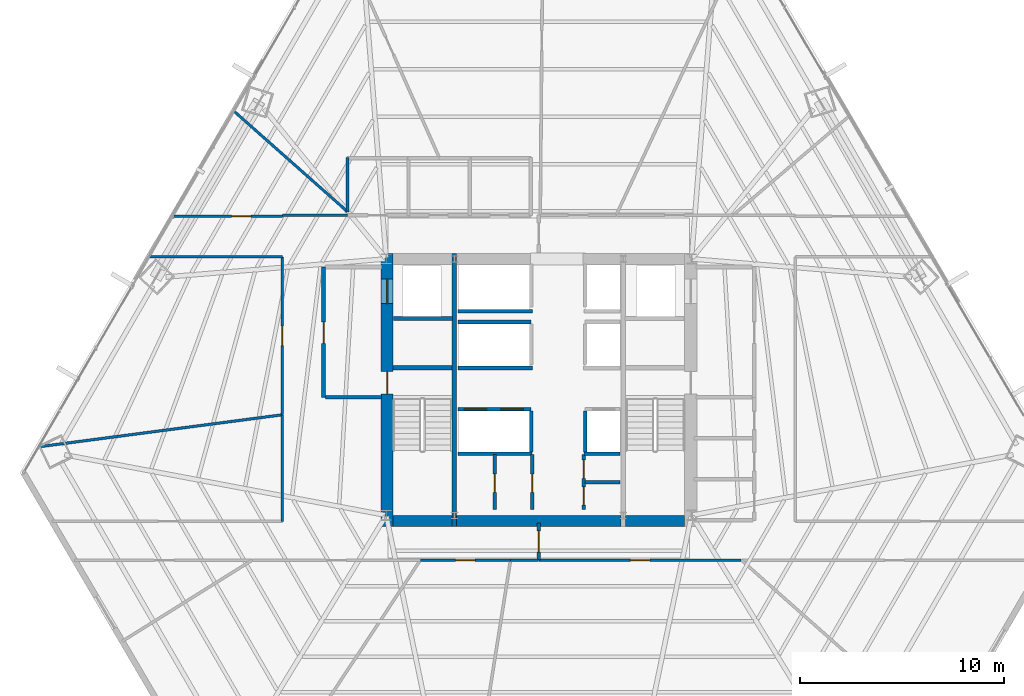
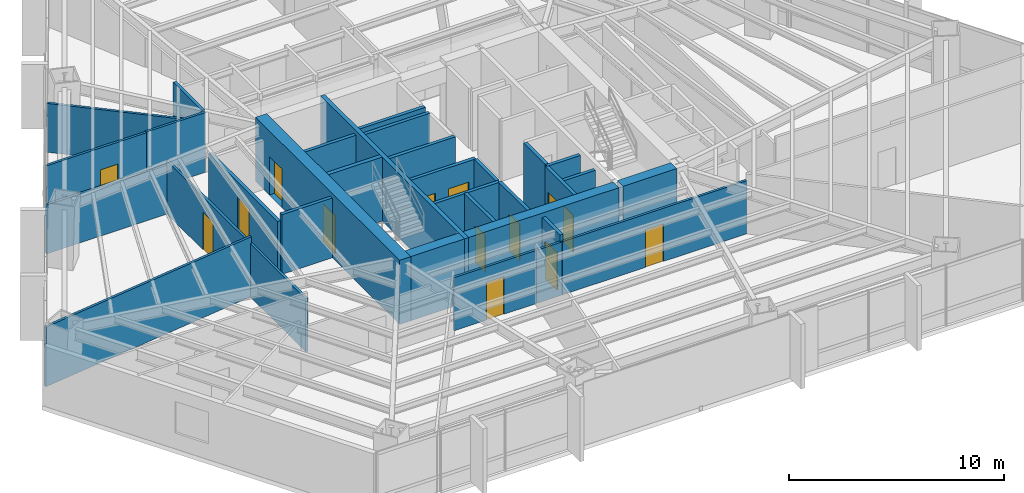
# One storey, part 32 of 37: 33 walls, 14 doors, 14 openings.
"""IFC4 building model written with IfcOpenShell, lengths in metres."""

from ifc_helpers import new_model, si_unit, direction, frame, frame_2d, origin, place, context, subcontext, project, spatial, rectangle, extrude, material, layer, layer_set, type_object, element, fill, save


model = new_model("IFC4")

# Units and contexts
model_context = context("Model", 3, precision=1e-05, world=origin(), true_north=direction((0.0, 1.0)))
body_context = subcontext(model_context, "Body", "Model", "MODEL_VIEW")
ifc_project = project(units=[si_unit("LENGTHUNIT", "METRE"), si_unit("AREAUNIT", "SQUARE_METRE"), si_unit("VOLUMEUNIT", "CUBIC_METRE"), si_unit("PLANEANGLEUNIT", "RADIAN"), si_unit("MASSUNIT", "GRAM", prefix="KILO")], contexts=[model_context])

# Site, building, storey
site_placement = place(None, origin())
site = spatial("IfcSite", under=ifc_project, at=site_placement, CompositionType="ELEMENT")
building_placement = place(site_placement, origin())
building = spatial("IfcBuilding", under=site, at=building_placement, Name="Caelisora Broadcast Tower", CompositionType="ELEMENT")
storey_placement = place(building_placement, frame((0.0, 0.0, 45.85009765625)))
storey = spatial("IfcBuildingStorey", under=building, at=storey_placement, Name="L11", CompositionType="ELEMENT", Elevation=45.85009765625)

# Wall, openings, doors
ifc_material_1 = material(Name="Concrete 65 MPa (AS 3600 S65)", Category="concrete")
ifc_layer_1 = layer(ifc_material_1, 0.60009765625, Name="Concrete 65 MPa (AS 3600 S65)")
ifc_layer_set_1 = layer_set([ifc_layer_1], Name="Concrete 65 MPa (AS 3600 S65)")
wall_type_1 = type_object("IfcWallType", Name="CW1", PredefinedType="SHEAR", material=ifc_layer_set_1)
wall_1_placement = place(storey_placement, frame((30.5400390625, 16.85009765625, 0.0), z_axis=(0.0, 0.0, 1.0), x_axis=(0.0, 1.0, 0.0)))
wall_1 = element("IfcWall", 1, at=wall_1_placement, inside=storey, type_object=wall_type_1, Name="L11 core shear wall CW1", PredefinedType="SHEAR", context=body_context, shape_type="SweptSolid", body=[
    extrude(rectangle(XDim=13.4248046875, YDim=0.60009765625, at=frame_2d((6.71240234375, 0.0))), origin(), (0.0, 0.0, 1.0), 3.64990234375),
])
opening_1_placement = place(wall_1_placement, frame((6.5, 0.0, 0.0)))
opening_1 = element("IfcOpeningElement", 2, at=opening_1_placement, cuts=wall_1, Name="Opening FD04", PredefinedType="OPENING", context=body_context, shape_type="SweptSolid", body=[
    extrude(rectangle(XDim=1.1201171875, YDim=2.14990234375, at=frame_2d((0.56005859375, 1.074951171875))), frame((0.0, 0.31201171875, 0.0), z_axis=(0.0, -1.0, 0.0), x_axis=(1.0, 0.0, 0.0)), (0.0, 0.0, 1.0), 0.6240234375),
])
opening_2_placement = place(wall_1_placement, frame((10.949951171875, 0.0, 0.0)))
opening_2 = element("IfcOpeningElement", 3, at=opening_2_placement, cuts=wall_1, Name="Opening LD04", PredefinedType="OPENING", context=body_context, shape_type="SweptSolid", body=[
    extrude(rectangle(XDim=1.199951171875, YDim=2.199951171875, at=frame_2d((0.60009765625, 1.10009765625))), frame((0.0, 0.31201171875, 0.0), z_axis=(0.0, -1.0, 0.0), x_axis=(1.0, 0.0, 0.0)), (0.0, 0.0, 1.0), 0.6240234375),
])
ifc_material_2 = material(Name="Pressurised Fire-Isolated Stair Door", Category="steel")
door_type_1 = type_object("IfcDoorType", Name="FD04", OperationType="NOTDEFINED", PredefinedType="DOOR", material=ifc_material_2)
door_1_placement = place(opening_1_placement, origin())
door_1 = element("IfcDoor", 4, at=door_1_placement, inside=storey, type_object=door_type_1, Name="L11 door FD04 (L11-DR-ST1)", OperationType="SINGLE_SWING_LEFT", OverallHeight=2.14990234375, OverallWidth=1.1201171875, PredefinedType="DOOR", context=body_context, shape_type="SweptSolid", body=[
    extrude(rectangle(XDim=1.1201171875, YDim=2.14990234375, at=frame_2d((0.56005859375, 1.074951171875))), frame((0.0, 0.02490234375, 0.0), z_axis=(0.0, -1.0, 0.0), x_axis=(1.0, 0.0, 0.0)), (0.0, 0.0, 1.0), 0.050048828125),
])
fill(opening_1, door_1)
ifc_material_3 = material(Name="Emergency Firefighting Lift Sliding Landing Door", Category="steel")
door_type_2 = type_object("IfcDoorType", Name="LD04", OperationType="NOTDEFINED", PredefinedType="DOOR", material=ifc_material_3)
door_2_placement = place(opening_2_placement, origin())
door_2 = element("IfcDoor", 5, at=door_2_placement, inside=storey, type_object=door_type_2, Name="L11 door LD04 (L11-LD-FFL1)", OperationType="SLIDING_TO_LEFT", OverallHeight=2.199951171875, OverallWidth=1.199951171875, PredefinedType="DOOR", context=body_context, shape_type="SweptSolid", body=[
    extrude(rectangle(XDim=1.199951171875, YDim=2.199951171875, at=frame_2d((0.60009765625, 1.10009765625))), frame((0.0, 0.02490234375, 0.0), z_axis=(0.0, -1.0, 0.0), x_axis=(1.0, 0.0, 0.0)), (0.0, 0.0, 1.0), 0.050048828125),
])
fill(opening_2, door_2)

# Walls
ifc_layer_2 = layer(ifc_material_1, 0.550048828125, Name="Concrete 65 MPa (AS 3600 S65)")
ifc_layer_set_2 = layer_set([ifc_layer_2], Name="Concrete 65 MPa (AS 3600 S65)")
wall_type_2 = type_object("IfcWallType", Name="CW4", PredefinedType="SHEAR", material=ifc_layer_set_2)
wall_2_placement = place(storey_placement, frame((30.840087890625, 17.125, 0.0), z_axis=(0.0, 0.0, 1.0), x_axis=(1.0, 0.0, 0.0)))
element("IfcWall", 6, at=wall_2_placement, inside=storey, type_object=wall_type_2, Name="L11 core shear wall CW4", PredefinedType="SHEAR", context=body_context, shape_type="SweptSolid", body=[
    extrude(rectangle(XDim=2.89990234375, YDim=0.550048828125, at=frame_2d((1.449951171875, 0.0))), origin(), (0.0, 0.0, 1.0), 3.64990234375),
])
wall_3_placement = place(storey_placement, frame((33.9599609375, 17.125, 0.0), z_axis=(0.0, 0.0, 1.0), x_axis=(1.0, 0.0, 0.0)))
element("IfcWall", 7, at=wall_3_placement, inside=storey, type_object=wall_type_2, Name="L11 core shear wall CW4", PredefinedType="SHEAR", context=body_context, shape_type="SweptSolid", body=[
    extrude(rectangle(XDim=8.080078125, YDim=0.550048828125, at=frame_2d((4.0400390625, 0.0))), origin(), (0.0, 0.0, 1.0), 3.64990234375),
])
wall_4_placement = place(storey_placement, frame((42.260009765625, 17.125, 0.0), z_axis=(0.0, 0.0, 1.0), x_axis=(1.0, 0.0, 0.0)))
element("IfcWall", 8, at=wall_4_placement, inside=storey, type_object=wall_type_2, Name="L11 core shear wall CW4", PredefinedType="SHEAR", context=body_context, shape_type="SweptSolid", body=[
    extrude(rectangle(XDim=2.89990234375, YDim=0.550048828125, at=frame_2d((1.449951171875, 0.0))), origin(), (0.0, 0.0, 1.0), 3.64990234375),
])
ifc_material_4 = material(Name="Concrete 50 MPa (AS 3600 S50)", Category="concrete")
ifc_layer_3 = layer(ifc_material_4, 0.219970703125, Name="Concrete 50 MPa (AS 3600 S50)")
ifc_layer_set_3 = layer_set([ifc_layer_3], Name="Concrete 50 MPa (AS 3600 S50)")
wall_type_3 = type_object("IfcWallType", Name="CW7", PredefinedType="SHEAR", material=ifc_layer_set_3)
wall_5_placement = place(storey_placement, frame((33.85009765625, 16.85009765625, 0.0), z_axis=(0.0, 0.0, 1.0), x_axis=(0.0, 1.0, 0.0)))
element("IfcWall", 9, at=wall_5_placement, inside=storey, type_object=wall_type_3, Name="L11 core shear wall CW7", PredefinedType="SHEAR", context=body_context, shape_type="SweptSolid", body=[
    extrude(rectangle(XDim=13.4248046875, YDim=0.219970703125, at=frame_2d((6.71240234375, 0.0))), origin(), (0.0, 0.0, 1.0), 3.64990234375),
])
wall_6_placement = place(storey_placement, frame((30.840087890625, 24.639892578125, 0.0), z_axis=(0.0, 0.0, 1.0), x_axis=(1.0, 0.0, 0.0)))
element("IfcWall", 10, at=wall_6_placement, inside=storey, type_object=wall_type_3, Name="L11 core shear wall CW7", PredefinedType="SHEAR", context=body_context, shape_type="SweptSolid", body=[
    extrude(rectangle(XDim=2.89990234375, YDim=0.219970703125, at=frame_2d((1.449951171875, 0.0))), origin(), (0.0, 0.0, 1.0), 3.64990234375),
])

# Wall, openings, doors
ifc_material_5 = material(Name="Fire-Rated Gypsum Shaft and Compartment Wall", Category="gypsum")
ifc_layer_4 = layer(ifc_material_5, 0.179931640625, Name="Fire-Rated Gypsum Shaft and Compartment Wall")
ifc_layer_set_4 = layer_set([ifc_layer_4], Name="Fire-Rated Gypsum Shaft and Compartment Wall")
wall_type_4 = type_object("IfcWallType", Name="PW2", PredefinedType="PARTITIONING", material=ifc_layer_set_4)
wall_7_placement = place(storey_placement, frame((34.02001953125, 22.6201171875, 0.0), z_axis=(0.0, 0.0, 1.0), x_axis=(1.0, 0.0, 0.0)))
wall_7 = element("IfcWall", 11, at=wall_7_placement, inside=storey, type_object=wall_type_4, Name="L11 fire compartment wall PW2", PredefinedType="PARTITIONING", context=body_context, shape_type="SweptSolid", body=[
    extrude(rectangle(XDim=3.60009765625, YDim=0.179931640625, at=frame_2d((1.800048828125, 0.0))), origin(), (0.0, 0.0, 1.0), 3.39990234375),
])
opening_3_placement = place(wall_7_placement, frame((0.320068359375, 0.0, 0.0)))
opening_3 = element("IfcOpeningElement", 12, at=opening_3_placement, cuts=wall_7, Name="Opening LD01", PredefinedType="OPENING", context=body_context, shape_type="SweptSolid", body=[
    extrude(rectangle(XDim=1.10009765625, YDim=2.199951171875, at=frame_2d((0.550048828125, 1.10009765625))), frame((0.0, 0.10205078125, 0.0), z_axis=(0.0, -1.0, 0.0), x_axis=(1.0, 0.0, 0.0)), (0.0, 0.0, 1.0), 0.203857421875),
])
opening_4_placement = place(wall_7_placement, frame((2.1201171875, 0.0, 0.0)))
opening_4 = element("IfcOpeningElement", 13, at=opening_4_placement, cuts=wall_7, Name="Opening LD01", PredefinedType="OPENING", context=body_context, shape_type="SweptSolid", body=[
    extrude(rectangle(XDim=1.10009765625, YDim=2.199951171875, at=frame_2d((0.550048828125, 1.10009765625))), frame((0.0, 0.10205078125, 0.0), z_axis=(0.0, -1.0, 0.0), x_axis=(1.0, 0.0, 0.0)), (0.0, 0.0, 1.0), 0.203857421875),
])
ifc_material_6 = material(Name="Stainless Steel Centre-Parting Lift Landing Door", Category="steel")
door_type_3 = type_object("IfcDoorType", Name="LD01", OperationType="NOTDEFINED", PredefinedType="DOOR", material=ifc_material_6)
door_3_placement = place(opening_3_placement, origin())
door_3 = element("IfcDoor", 14, at=door_3_placement, inside=storey, type_object=door_type_3, Name="L11 door LD01 (L11-LD-PLL1)", OperationType="SLIDING_TO_LEFT", OverallHeight=2.199951171875, OverallWidth=1.10009765625, PredefinedType="DOOR", context=body_context, shape_type="SweptSolid", body=[
    extrude(rectangle(XDim=1.10009765625, YDim=2.199951171875, at=frame_2d((0.550048828125, 1.10009765625))), frame((0.0, 0.02490234375, 0.0), z_axis=(0.0, -1.0, 0.0), x_axis=(1.0, 0.0, 0.0)), (0.0, 0.0, 1.0), 0.050048828125),
])
fill(opening_3, door_3)
door_4_placement = place(opening_4_placement, origin())
door_4 = element("IfcDoor", 15, at=door_4_placement, inside=storey, type_object=door_type_3, Name="L11 door LD01 (L11-LD-PLL2)", OperationType="SLIDING_TO_RIGHT", OverallHeight=2.199951171875, OverallWidth=1.10009765625, PredefinedType="DOOR", context=body_context, shape_type="SweptSolid", body=[
    extrude(rectangle(XDim=1.10009765625, YDim=2.199951171875, at=frame_2d((0.550048828125, 1.10009765625))), frame((0.0, 0.02490234375, 0.0), z_axis=(0.0, -1.0, 0.0), x_axis=(1.0, 0.0, 0.0)), (0.0, 0.0, 1.0), 0.050048828125),
])
fill(opening_4, door_4)

# Walls
for number, where, z_axis, x_axis, name in (
    (16, (37.6201171875, 20.52001953125, 0.0), (0.0, 0.0, 1.0), (0.0, 1.0, 0.0), "L11 fire compartment wall PW2"),
    (17, (40.280029296875, 20.52001953125, 0.0), (0.0, 0.0, 1.0), (0.0, 1.0, 0.0), "L11 fire compartment wall PW2"),
):
    element("IfcWall", number, at=place(storey_placement, frame(where, z_axis=z_axis, x_axis=x_axis)), inside=storey, type_object=wall_type_4, Name=name, PredefinedType="PARTITIONING", context=body_context, shape_type="SweptSolid", body=[
        extrude(rectangle(XDim=2.0, YDim=0.179931640625, at=frame_2d((1.0, 0.0))), origin(), (0.0, 0.0, 1.0), 3.39990234375),
    ])
wall_8_placement = place(storey_placement, frame((34.02001953125, 26.89990234375, 0.0), z_axis=(0.0, 0.0, 1.0), x_axis=(1.0, 0.0, 0.0)))
element("IfcWall", 18, at=wall_8_placement, inside=storey, type_object=wall_type_4, Name="L11 fire compartment wall PW2", PredefinedType="PARTITIONING", context=body_context, shape_type="SweptSolid", body=[
    extrude(rectangle(XDim=3.60009765625, YDim=0.179931640625, at=frame_2d((1.800048828125, 0.0))), origin(), (0.0, 0.0, 1.0), 3.39990234375),
])
wall_9_placement = place(storey_placement, frame((34.02001953125, 24.639892578125, 0.0), z_axis=(0.0, 0.0, 1.0), x_axis=(1.0, 0.0, 0.0)))
element("IfcWall", 19, at=wall_9_placement, inside=storey, type_object=wall_type_4, Name="L11 fire compartment wall PW2", PredefinedType="PARTITIONING", context=body_context, shape_type="SweptSolid", body=[
    extrude(rectangle(XDim=3.679931640625, YDim=0.179931640625, at=frame_2d((1.83984375, 0.0))), origin(), (0.0, 0.0, 1.0), 3.39990234375),
])
wall_10_placement = place(storey_placement, frame((34.02001953125, 27.419921875, 0.0), z_axis=(0.0, 0.0, 1.0), x_axis=(1.0, 0.0, 0.0)))
element("IfcWall", 20, at=wall_10_placement, inside=storey, type_object=wall_type_4, Name="L11 fire compartment wall PW2", PredefinedType="PARTITIONING", context=body_context, shape_type="SweptSolid", body=[
    extrude(rectangle(XDim=3.659912109375, YDim=0.179931640625, at=frame_2d((1.830078125, 0.0))), origin(), (0.0, 0.0, 1.0), 3.39990234375),
])

# Wall, opening, door
wall_11_placement = place(storey_placement, frame((27.419921875, 23.199951171875, 0.0), z_axis=(0.0, 0.0, 1.0), x_axis=(0.0, 1.0, 0.0)))
wall_11 = element("IfcWall", 21, at=wall_11_placement, inside=storey, type_object=wall_type_4, Name="L11 fire compartment wall PW2", PredefinedType="PARTITIONING", context=body_context, shape_type="SweptSolid", body=[
    extrude(rectangle(XDim=6.400146484375, YDim=0.179931640625, at=frame_2d((3.2001953125, 0.0))), origin(), (0.0, 0.0, 1.0), 3.0263671875),
])
opening_5_placement = place(wall_11_placement, frame((2.64990234375, 0.0, 0.0)))
opening_5 = element("IfcOpeningElement", 22, at=opening_5_placement, cuts=wall_11, Name="Opening FD02", PredefinedType="OPENING", context=body_context, shape_type="SweptSolid", body=[
    extrude(rectangle(XDim=1.050048828125, YDim=2.14990234375, at=frame_2d((0.52490234375, 1.074951171875))), frame((0.0, 0.10205078125, 0.0), z_axis=(0.0, -1.0, 0.0), x_axis=(1.0, 0.0, 0.0)), (0.0, 0.0, 1.0), 0.203857421875),
])
ifc_material_7 = material(Name="Single-Leaf Steel Fire Lobby Door", Category="steel")
door_type_4 = type_object("IfcDoorType", Name="FD02", OperationType="NOTDEFINED", PredefinedType="DOOR", material=ifc_material_7)
door_5_placement = place(opening_5_placement, origin())
door_5 = element("IfcDoor", 23, at=door_5_placement, inside=storey, type_object=door_type_4, Name="L11 door FD02 (L11-DR-P01D1)", OperationType="SINGLE_SWING_LEFT", OverallHeight=2.14990234375, OverallWidth=1.050048828125, PredefinedType="DOOR", context=body_context, shape_type="SweptSolid", body=[
    extrude(rectangle(XDim=1.050048828125, YDim=2.14990234375, at=frame_2d((0.52490234375, 1.074951171875))), frame((0.0, 0.02490234375, 0.0), z_axis=(0.0, -1.0, 0.0), x_axis=(1.0, 0.0, 0.0)), (0.0, 0.0, 1.0), 0.050048828125),
])
fill(opening_5, door_5)

# Walls
wall_12_placement = place(storey_placement, frame((27.52001953125, 23.199951171875, 0.0), z_axis=(0.0, 0.0, 1.0), x_axis=(1.0, 0.0, 0.0)))
element("IfcWall", 24, at=wall_12_placement, inside=storey, type_object=wall_type_4, Name="L11 fire compartment wall PW2", PredefinedType="PARTITIONING", context=body_context, shape_type="SweptSolid", body=[
    extrude(rectangle(XDim=2.760009765625, YDim=0.179931640625, at=frame_2d((1.3798828125, 0.0))), origin(), (0.0, 0.0, 1.0), 3.39990234375),
])
wall_13_placement = place(storey_placement, frame((30.860107421875, 27.070068359375, 0.0), z_axis=(0.0, 0.0, 1.0), x_axis=(1.0, 0.0, 0.0)))
element("IfcWall", 25, at=wall_13_placement, inside=storey, type_object=wall_type_4, Name="L11 fire compartment wall PW2", PredefinedType="PARTITIONING", context=body_context, shape_type="SweptSolid", body=[
    extrude(rectangle(XDim=2.89990234375, YDim=0.179931640625, at=frame_2d((1.449951171875, 0.0))), origin(), (0.0, 0.0, 1.0), 3.39990234375),
])
wall_14_placement = place(storey_placement, frame((34.02001953125, 20.419921875, 0.0), z_axis=(0.0, 0.0, 1.0), x_axis=(1.0, 0.0, 0.0)))
element("IfcWall", 26, at=wall_14_placement, inside=storey, type_object=wall_type_4, Name="L11 fire compartment wall PW2", PredefinedType="PARTITIONING", context=body_context, shape_type="SweptSolid", body=[
    extrude(rectangle(XDim=3.639892578125, YDim=0.179931640625, at=frame_2d((1.81982421875, 0.0))), origin(), (0.0, 0.0, 1.0), 3.39990234375),
])
wall_15_placement = place(storey_placement, frame((40.219970703125, 20.419921875, 0.0), z_axis=(0.0, 0.0, 1.0), x_axis=(1.0, 0.0, 0.0)))
element("IfcWall", 27, at=wall_15_placement, inside=storey, type_object=wall_type_4, Name="L11 fire compartment wall PW2", PredefinedType="PARTITIONING", context=body_context, shape_type="SweptSolid", body=[
    extrude(rectangle(XDim=1.760009765625, YDim=0.179931640625, at=frame_2d((0.8798828125, 0.0))), origin(), (0.0, 0.0, 1.0), 3.39990234375),
])

# Wall, opening, door
wall_16_placement = place(storey_placement, frame((35.840087890625, 17.679931640625, 0.0), z_axis=(0.0, 0.0, 1.0), x_axis=(0.0, 1.0, 0.0)))
wall_16 = element("IfcWall", 28, at=wall_16_placement, inside=storey, type_object=wall_type_4, Name="L11 fire compartment wall PW2", PredefinedType="PARTITIONING", context=body_context, shape_type="SweptSolid", body=[
    extrude(rectangle(XDim=2.699951171875, YDim=0.179931640625, at=frame_2d((1.35009765625, 0.0))), origin(), (0.0, 0.0, 1.0), 3.39990234375),
])
opening_6_placement = place(wall_16_placement, frame((0.85009765625, 0.0, 0.0)))
opening_6 = element("IfcOpeningElement", 29, at=opening_6_placement, cuts=wall_16, Name="Opening FD03", PredefinedType="OPENING", context=body_context, shape_type="SweptSolid", body=[
    extrude(rectangle(XDim=0.89990234375, YDim=2.10009765625, at=frame_2d((0.449951171875, 1.050048828125))), frame((0.0, 0.10205078125, 0.0), z_axis=(0.0, -1.0, 0.0), x_axis=(1.0, 0.0, 0.0)), (0.0, 0.0, 1.0), 0.203857421875),
])
ifc_material_8 = material(Name="Single-Leaf Steel Riser Fire Access Door", Category="steel")
door_type_5 = type_object("IfcDoorType", Name="FD03", OperationType="NOTDEFINED", PredefinedType="DOOR", material=ifc_material_8)
door_6_placement = place(opening_6_placement, origin())
door_6 = element("IfcDoor", 30, at=door_6_placement, inside=storey, type_object=door_type_5, Name="L11 door FD03 (L11-DR-P11D1)", OperationType="SINGLE_SWING_LEFT", OverallHeight=2.10009765625, OverallWidth=0.89990234375, PredefinedType="DOOR", context=body_context, shape_type="SweptSolid", body=[
    extrude(rectangle(XDim=0.89990234375, YDim=2.10009765625, at=frame_2d((0.449951171875, 1.050048828125))), frame((0.0, 0.02490234375, 0.0), z_axis=(0.0, -1.0, 0.0), x_axis=(1.0, 0.0, 0.0)), (0.0, 0.0, 1.0), 0.050048828125),
])
fill(opening_6, door_6)

wall_17_placement = place(storey_placement, frame((37.679931640625, 17.679931640625, 0.0), z_axis=(0.0, 0.0, 1.0), x_axis=(0.0, 1.0, 0.0)))
wall_17 = element("IfcWall", 31, at=wall_17_placement, inside=storey, type_object=wall_type_4, Name="L11 fire compartment wall PW2", PredefinedType="PARTITIONING", context=body_context, shape_type="SweptSolid", body=[
    extrude(rectangle(XDim=2.699951171875, YDim=0.179931640625, at=frame_2d((1.35009765625, 0.0))), origin(), (0.0, 0.0, 1.0), 3.39990234375),
])
opening_7_placement = place(wall_17_placement, frame((0.85009765625, 0.0, 0.0)))
opening_7 = element("IfcOpeningElement", 32, at=opening_7_placement, cuts=wall_17, Name="Opening FD03", PredefinedType="OPENING", context=body_context, shape_type="SweptSolid", body=[
    extrude(rectangle(XDim=0.89990234375, YDim=2.10009765625, at=frame_2d((0.449951171875, 1.050048828125))), frame((0.0, 0.10205078125, 0.0), z_axis=(0.0, -1.0, 0.0), x_axis=(1.0, 0.0, 0.0)), (0.0, 0.0, 1.0), 0.203857421875),
])
door_7_placement = place(opening_7_placement, origin())
door_7 = element("IfcDoor", 33, at=door_7_placement, inside=storey, type_object=door_type_5, Name="L11 door FD03 (L11-DR-P12D1)", OperationType="SINGLE_SWING_RIGHT", OverallHeight=2.10009765625, OverallWidth=0.89990234375, PredefinedType="DOOR", context=body_context, shape_type="SweptSolid", body=[
    extrude(rectangle(XDim=0.89990234375, YDim=2.10009765625, at=frame_2d((0.449951171875, 1.050048828125))), frame((0.0, 0.02490234375, 0.0), z_axis=(0.0, -1.0, 0.0), x_axis=(1.0, 0.0, 0.0)), (0.0, 0.0, 1.0), 0.050048828125),
])
fill(opening_7, door_7)

# Wall
wall_18_placement = place(storey_placement, frame((40.280029296875, 19.02001953125, 0.0), z_axis=(0.0, 0.0, 1.0), x_axis=(1.0, 0.0, 0.0)))
element("IfcWall", 34, at=wall_18_placement, inside=storey, type_object=wall_type_4, Name="L11 fire compartment wall PW2", PredefinedType="PARTITIONING", context=body_context, shape_type="SweptSolid", body=[
    extrude(rectangle(XDim=1.699951171875, YDim=0.179931640625, at=frame_2d((0.85009765625, 0.0))), origin(), (0.0, 0.0, 1.0), 3.39990234375),
])

# Wall, openings, doors
wall_19_placement = place(storey_placement, frame((40.199951171875, 17.679931640625, 0.0), z_axis=(0.0, 0.0, 1.0), x_axis=(0.0, 1.0, 0.0)))
wall_19 = element("IfcWall", 35, at=wall_19_placement, inside=storey, type_object=wall_type_4, Name="L11 fire compartment wall PW2", PredefinedType="PARTITIONING", context=body_context, shape_type="SweptSolid", body=[
    extrude(rectangle(XDim=2.699951171875, YDim=0.179931640625, at=frame_2d((1.35009765625, 0.0))), origin(), (0.0, 0.0, 1.0), 3.39990234375),
])
opening_8_placement = place(wall_19_placement, frame((0.219970703125, 0.0, 0.0)))
opening_8 = element("IfcOpeningElement", 36, at=opening_8_placement, cuts=wall_19, Name="Opening FD03", PredefinedType="OPENING", context=body_context, shape_type="SweptSolid", body=[
    extrude(rectangle(XDim=0.89990234375, YDim=2.10009765625, at=frame_2d((0.449951171875, 1.050048828125))), frame((0.0, 0.10205078125, 0.0), z_axis=(0.0, -1.0, 0.0), x_axis=(1.0, 0.0, 0.0)), (0.0, 0.0, 1.0), 0.203857421875),
])
opening_9_placement = place(wall_19_placement, frame((1.5400390625, 0.0, 0.0)))
opening_9 = element("IfcOpeningElement", 37, at=opening_9_placement, cuts=wall_19, Name="Opening FD03", PredefinedType="OPENING", context=body_context, shape_type="SweptSolid", body=[
    extrude(rectangle(XDim=0.89990234375, YDim=2.10009765625, at=frame_2d((0.449951171875, 1.050048828125))), frame((0.0, 0.10205078125, 0.0), z_axis=(0.0, -1.0, 0.0), x_axis=(1.0, 0.0, 0.0)), (0.0, 0.0, 1.0), 0.203857421875),
])
door_8_placement = place(opening_8_placement, origin())
door_8 = element("IfcDoor", 38, at=door_8_placement, inside=storey, type_object=door_type_5, Name="L11 door FD03 (L11-DR-P14D1)", OperationType="SINGLE_SWING_LEFT", OverallHeight=2.10009765625, OverallWidth=0.89990234375, PredefinedType="DOOR", context=body_context, shape_type="SweptSolid", body=[
    extrude(rectangle(XDim=0.89990234375, YDim=2.10009765625, at=frame_2d((0.449951171875, 1.050048828125))), frame((0.0, 0.02490234375, 0.0), z_axis=(0.0, -1.0, 0.0), x_axis=(1.0, 0.0, 0.0)), (0.0, 0.0, 1.0), 0.050048828125),
])
fill(opening_8, door_8)
door_9_placement = place(opening_9_placement, origin())
door_9 = element("IfcDoor", 39, at=door_9_placement, inside=storey, type_object=door_type_5, Name="L11 door FD03 (L11-DR-P14D2)", OperationType="SINGLE_SWING_RIGHT", OverallHeight=2.10009765625, OverallWidth=0.89990234375, PredefinedType="DOOR", context=body_context, shape_type="SweptSolid", body=[
    extrude(rectangle(XDim=0.89990234375, YDim=2.10009765625, at=frame_2d((0.449951171875, 1.050048828125))), frame((0.0, 0.02490234375, 0.0), z_axis=(0.0, -1.0, 0.0), x_axis=(1.0, 0.0, 0.0)), (0.0, 0.0, 1.0), 0.050048828125),
])
fill(opening_9, door_9)

# Wall, opening, door
wall_20_placement = place(storey_placement, frame((38.0, 15.205078125, 0.0), z_axis=(0.0, 0.0, 1.0), x_axis=(0.0, 1.0, 0.0)))
wall_20 = element("IfcWall", 40, at=wall_20_placement, inside=storey, type_object=wall_type_4, Name="L11 fire compartment wall PW2", PredefinedType="PARTITIONING", context=body_context, shape_type="SweptSolid", body=[
    extrude(rectangle(XDim=1.81982421875, YDim=0.179931640625, at=frame_2d((0.909912109375, 0.0))), origin(), (0.0, 0.0, 1.0), 3.39990234375),
])
opening_10_placement = place(wall_20_placement, frame((0.385009765625, 0.0, 0.0)))
opening_10 = element("IfcOpeningElement", 41, at=opening_10_placement, cuts=wall_20, Name="Opening FD02", PredefinedType="OPENING", context=body_context, shape_type="SweptSolid", body=[
    extrude(rectangle(XDim=1.050048828125, YDim=2.14990234375, at=frame_2d((0.52490234375, 1.074951171875))), frame((0.0, 0.10205078125, 0.0), z_axis=(0.0, -1.0, 0.0), x_axis=(1.0, 0.0, 0.0)), (0.0, 0.0, 1.0), 0.203857421875),
])
door_10_placement = place(opening_10_placement, origin())
door_10 = element("IfcDoor", 42, at=door_10_placement, inside=storey, type_object=door_type_4, Name="L11 door FD02 (L11-DR-P58D1)", OperationType="SINGLE_SWING_LEFT", OverallHeight=2.14990234375, OverallWidth=1.050048828125, PredefinedType="DOOR", context=body_context, shape_type="SweptSolid", body=[
    extrude(rectangle(XDim=1.050048828125, YDim=2.14990234375, at=frame_2d((0.52490234375, 1.074951171875))), frame((0.0, 0.02490234375, 0.0), z_axis=(0.0, -1.0, 0.0), x_axis=(1.0, 0.0, 0.0)), (0.0, 0.0, 1.0), 0.050048828125),
])
fill(opening_10, door_10)

# Wall
ifc_material_9 = material(Name="Acoustic Steel-Stud Plasterboard Partition", Category="gypsum")
ifc_layer_5 = layer(ifc_material_9, 0.1298828125, Name="Acoustic Steel-Stud Plasterboard Partition")
ifc_layer_set_5 = layer_set([ifc_layer_5], Name="Acoustic Steel-Stud Plasterboard Partition")
wall_type_5 = type_object("IfcWallType", Name="PW3", PredefinedType="PARTITIONING", material=ifc_layer_set_5)
wall_21_placement = place(storey_placement, frame((13.41796875, 20.765380859375, 0.0), z_axis=(0.0, 0.0, 1.0), x_axis=(0.991477805387, 0.130275713105, 0.0)))
element("IfcWall", 43, at=wall_21_placement, inside=storey, type_object=wall_type_5, Name="L11 internal partition PW3", PredefinedType="PARTITIONING", context=body_context, shape_type="SweptSolid", body=[
    extrude(rectangle(XDim=12.080078125, YDim=0.1298828125, at=frame_2d((6.0400390625, 0.0))), origin(), (0.0, 0.0, 1.0), 3.39990234375),
])

# Wall, opening, door
wall_22_placement = place(storey_placement, frame((38.0048828125, 15.199951171875, 0.0), z_axis=(0.0, 0.0, 1.0), x_axis=(1.0, 0.0, 0.0)))
wall_22 = element("IfcWall", 44, at=wall_22_placement, inside=storey, type_object=wall_type_5, Name="L11 internal partition PW3", PredefinedType="PARTITIONING", context=body_context, shape_type="SweptSolid", body=[
    extrude(rectangle(XDim=9.940185546875, YDim=0.1298828125, at=frame_2d((4.97021484375, 0.0))), origin(), (0.0, 0.0, 1.0), 3.0263671875),
])
opening_11_placement = place(wall_22_placement, frame((4.489990234375, 0.0, 0.0)))
opening_11 = element("IfcOpeningElement", 45, at=opening_11_placement, cuts=wall_22, Name="Opening D01", PredefinedType="OPENING", context=body_context, shape_type="SweptSolid", body=[
    extrude(rectangle(XDim=0.9599609375, YDim=2.14990234375, at=frame_2d((0.47998046875, 1.074951171875))), frame((0.0, 0.076904296875, 0.0), z_axis=(0.0, -1.0, 0.0), x_axis=(1.0, 0.0, 0.0)), (0.0, 0.0, 1.0), 0.15380859375),
])
ifc_material_10 = material(Name="Solid-Core Timber Acoustic Office Door", Category="wood")
door_type_6 = type_object("IfcDoorType", Name="D01", OperationType="NOTDEFINED", PredefinedType="DOOR", material=ifc_material_10)
door_11_placement = place(opening_11_placement, origin())
door_11 = element("IfcDoor", 46, at=door_11_placement, inside=storey, type_object=door_type_6, Name="L11 door D01 (L11-DR-P41D1)", OperationType="SINGLE_SWING_RIGHT", OverallHeight=2.14990234375, OverallWidth=0.9599609375, PredefinedType="DOOR", context=body_context, shape_type="SweptSolid", body=[
    extrude(rectangle(XDim=0.9599609375, YDim=2.14990234375, at=frame_2d((0.47998046875, 1.074951171875))), frame((0.0, 0.02490234375, 0.0), z_axis=(0.0, -1.0, 0.0), x_axis=(1.0, 0.0, 0.0)), (0.0, 0.0, 1.0), 0.050048828125),
])
fill(opening_11, door_11)

wall_23_placement = place(storey_placement, frame((25.39990234375, 22.344970703125, 0.0), z_axis=(0.0, 0.0, 1.0), x_axis=(0.0, 1.0, 0.0)))
wall_23 = element("IfcWall", 47, at=wall_23_placement, inside=storey, type_object=wall_type_5, Name="L11 internal partition PW3", PredefinedType="PARTITIONING", context=body_context, shape_type="SweptSolid", body=[
    extrude(rectangle(XDim=7.75, YDim=0.1298828125, at=frame_2d((3.875, 0.0))), origin(), (0.0, 0.0, 1.0), 3.0263671875),
])
opening_12_placement = place(wall_23_placement, frame((3.39501953125, 0.0, 0.0)))
opening_12 = element("IfcOpeningElement", 48, at=opening_12_placement, cuts=wall_23, Name="Opening D01", PredefinedType="OPENING", context=body_context, shape_type="SweptSolid", body=[
    extrude(rectangle(XDim=0.9599609375, YDim=2.14990234375, at=frame_2d((0.47998046875, 1.074951171875))), frame((0.0, 0.076904296875, 0.0), z_axis=(0.0, -1.0, 0.0), x_axis=(1.0, 0.0, 0.0)), (0.0, 0.0, 1.0), 0.15380859375),
])
door_12_placement = place(opening_12_placement, origin())
door_12 = element("IfcDoor", 49, at=door_12_placement, inside=storey, type_object=door_type_6, Name="L11 door D01 (L11-DR-P44D1)", OperationType="SINGLE_SWING_LEFT", OverallHeight=2.14990234375, OverallWidth=0.9599609375, PredefinedType="DOOR", context=body_context, shape_type="SweptSolid", body=[
    extrude(rectangle(XDim=0.9599609375, YDim=2.14990234375, at=frame_2d((0.47998046875, 1.074951171875))), frame((0.0, 0.02490234375, 0.0), z_axis=(0.0, -1.0, 0.0), x_axis=(1.0, 0.0, 0.0)), (0.0, 0.0, 1.0), 0.050048828125),
])
fill(opening_12, door_12)

# Walls
wall_24_placement = place(storey_placement, frame((23.02294921875, 37.255615234375, 0.0), z_axis=(0.0, 0.0, 1.0), x_axis=(0.748819339084, -0.662774167733, 0.0)))
element("IfcWall", 50, at=wall_24_placement, inside=storey, type_object=wall_type_5, Name="L11 internal partition PW3", PredefinedType="PARTITIONING", context=body_context, shape_type="SweptSolid", body=[
    extrude(rectangle(XDim=7.4423828125, YDim=0.1298828125, at=frame_2d((3.72119140625, 0.0))), origin(), (0.0, 0.0, 1.0), 2.78271484375),
])
wall_25_placement = place(storey_placement, frame((25.39501953125, 30.10009765625, 0.0), z_axis=(0.0, 0.0, 1.0), x_axis=(-1.0, 0.0, 0.0)))
element("IfcWall", 51, at=wall_25_placement, inside=storey, type_object=wall_type_5, Name="L11 internal partition PW3", PredefinedType="PARTITIONING", context=body_context, shape_type="SweptSolid", body=[
    extrude(rectangle(XDim=6.5400390625, YDim=0.1298828125, at=frame_2d((3.27001953125, 0.0))), origin(), (0.0, 0.0, 1.0), 2.78271484375),
])

# Wall, opening, door
wall_26_placement = place(storey_placement, frame((20.02001953125, 32.10009765625, 0.0), z_axis=(0.0, 0.0, 1.0), x_axis=(1.0, 0.0, 0.0)))
wall_26 = element("IfcWall", 52, at=wall_26_placement, inside=storey, type_object=wall_type_5, Name="L11 internal partition PW3", PredefinedType="PARTITIONING", context=body_context, shape_type="SweptSolid", body=[
    extrude(rectangle(XDim=5.375, YDim=0.1298828125, at=frame_2d((2.6875, 0.0))), origin(), (0.0, 0.0, 1.0), 3.39990234375),
])
opening_13_placement = place(wall_26_placement, frame((2.8798828125, 0.0, 0.0)))
opening_13 = element("IfcOpeningElement", 53, at=opening_13_placement, cuts=wall_26, Name="Opening D01", PredefinedType="OPENING", context=body_context, shape_type="SweptSolid", body=[
    extrude(rectangle(XDim=0.9599609375, YDim=2.14990234375, at=frame_2d((0.47998046875, 1.074951171875))), frame((0.0, 0.076904296875, 0.0), z_axis=(0.0, -1.0, 0.0), x_axis=(1.0, 0.0, 0.0)), (0.0, 0.0, 1.0), 0.15380859375),
])
door_13_placement = place(opening_13_placement, origin())
door_13 = element("IfcDoor", 54, at=door_13_placement, inside=storey, type_object=door_type_6, Name="L11 door D01 (L11-DR-P52D1)", OperationType="SINGLE_SWING_RIGHT", OverallHeight=2.14990234375, OverallWidth=0.9599609375, PredefinedType="DOOR", context=body_context, shape_type="SweptSolid", body=[
    extrude(rectangle(XDim=0.9599609375, YDim=2.14990234375, at=frame_2d((0.47998046875, 1.074951171875))), frame((0.0, 0.02490234375, 0.0), z_axis=(0.0, -1.0, 0.0), x_axis=(1.0, 0.0, 0.0)), (0.0, 0.0, 1.0), 0.050048828125),
])
fill(opening_13, door_13)

# Wall
wall_27_placement = place(storey_placement, frame((25.39990234375, 17.10498046875, 0.0), z_axis=(0.0, 0.0, 1.0), x_axis=(0.0, 1.0, 0.0)))
element("IfcWall", 55, at=wall_27_placement, inside=storey, type_object=wall_type_5, Name="L11 internal partition PW3", PredefinedType="PARTITIONING", context=body_context, shape_type="SweptSolid", body=[
    extrude(rectangle(XDim=5.22998046875, YDim=0.1298828125, at=frame_2d((2.614990234375, 0.0))), origin(), (0.0, 0.0, 1.0), 3.0263671875),
])

# Wall, opening, door
wall_28_placement = place(storey_placement, frame((32.18505859375, 15.199951171875, 0.0), z_axis=(0.0, 0.0, 1.0), x_axis=(1.0, 0.0, 0.0)))
wall_28 = element("IfcWall", 56, at=wall_28_placement, inside=storey, type_object=wall_type_5, Name="L11 internal partition PW3", PredefinedType="PARTITIONING", context=body_context, shape_type="SweptSolid", body=[
    extrude(rectangle(XDim=4.419921875, YDim=0.1298828125, at=frame_2d((2.2099609375, 0.0))), origin(), (0.0, 0.0, 1.0), 3.0263671875),
])
opening_14_placement = place(wall_28_placement, frame((1.72998046875, 0.0, 0.0)))
opening_14 = element("IfcOpeningElement", 57, at=opening_14_placement, cuts=wall_28, Name="Opening D01", PredefinedType="OPENING", context=body_context, shape_type="SweptSolid", body=[
    extrude(rectangle(XDim=0.9599609375, YDim=2.14990234375, at=frame_2d((0.47998046875, 1.074951171875))), frame((0.0, 0.076904296875, 0.0), z_axis=(0.0, -1.0, 0.0), x_axis=(1.0, 0.0, 0.0)), (0.0, 0.0, 1.0), 0.15380859375),
])
door_14_placement = place(opening_14_placement, origin())
door_14 = element("IfcDoor", 58, at=door_14_placement, inside=storey, type_object=door_type_6, Name="L11 door D01 (L11-DR-P54D1)", OperationType="SINGLE_SWING_LEFT", OverallHeight=2.14990234375, OverallWidth=0.9599609375, PredefinedType="DOOR", context=body_context, shape_type="SweptSolid", body=[
    extrude(rectangle(XDim=0.9599609375, YDim=2.14990234375, at=frame_2d((0.47998046875, 1.074951171875))), frame((0.0, 0.02490234375, 0.0), z_axis=(0.0, -1.0, 0.0), x_axis=(1.0, 0.0, 0.0)), (0.0, 0.0, 1.0), 0.050048828125),
])
fill(opening_14, door_14)

# Walls
wall_29_placement = place(storey_placement, frame((25.405029296875, 32.14990234375, 0.0), z_axis=(0.0, 0.0, 1.0), x_axis=(1.0, 0.0, 0.0)))
element("IfcWall", 59, at=wall_29_placement, inside=storey, type_object=wall_type_5, Name="L11 internal partition PW3", PredefinedType="PARTITIONING", context=body_context, shape_type="SweptSolid", body=[
    extrude(rectangle(XDim=3.18994140625, YDim=0.1298828125, at=frame_2d((1.594970703125, 0.0))), origin(), (0.0, 0.0, 1.0), 3.39990234375),
])
wall_30_placement = place(storey_placement, frame((36.614990234375, 15.199951171875, 0.0), z_axis=(0.0, 0.0, 1.0), x_axis=(1.0, 0.0, 0.0)))
element("IfcWall", 60, at=wall_30_placement, inside=storey, type_object=wall_type_5, Name="L11 internal partition PW3", PredefinedType="PARTITIONING", context=body_context, shape_type="SweptSolid", body=[
    extrude(rectangle(XDim=1.380126953125, YDim=0.1298828125, at=frame_2d((0.68994140625, 0.0))), origin(), (0.0, 0.0, 1.0), 3.0263671875),
])
ifc_material_11 = material(Name="Moisture-Resistant Wet Plumbing Service Wall", Category="gypsum")
ifc_layer_6 = layer(ifc_material_11, 0.159912109375, Name="Moisture-Resistant Wet Plumbing Service Wall")
ifc_layer_set_6 = layer_set([ifc_layer_6], Name="Moisture-Resistant Wet Plumbing Service Wall")
wall_type_6 = type_object("IfcWallType", Name="PW4", PredefinedType="PLUMBINGWALL", material=ifc_layer_set_6)
wall_31_placement = place(storey_placement, frame((28.60009765625, 32.294921875, 0.0), z_axis=(0.0, 0.0, 1.0), x_axis=(0.0, 1.0, 0.0)))
element("IfcWall", 61, at=wall_31_placement, inside=storey, type_object=wall_type_6, Name="L11 wet plumbing wall PW4", PredefinedType="PLUMBINGWALL", context=body_context, shape_type="SweptSolid", body=[
    extrude(rectangle(XDim=2.68017578125, YDim=0.159912109375, at=frame_2d((1.340087890625, 0.0))), origin(), (0.0, 0.0, 1.0), 3.39990234375),
])

save(model, "model.ifc")
